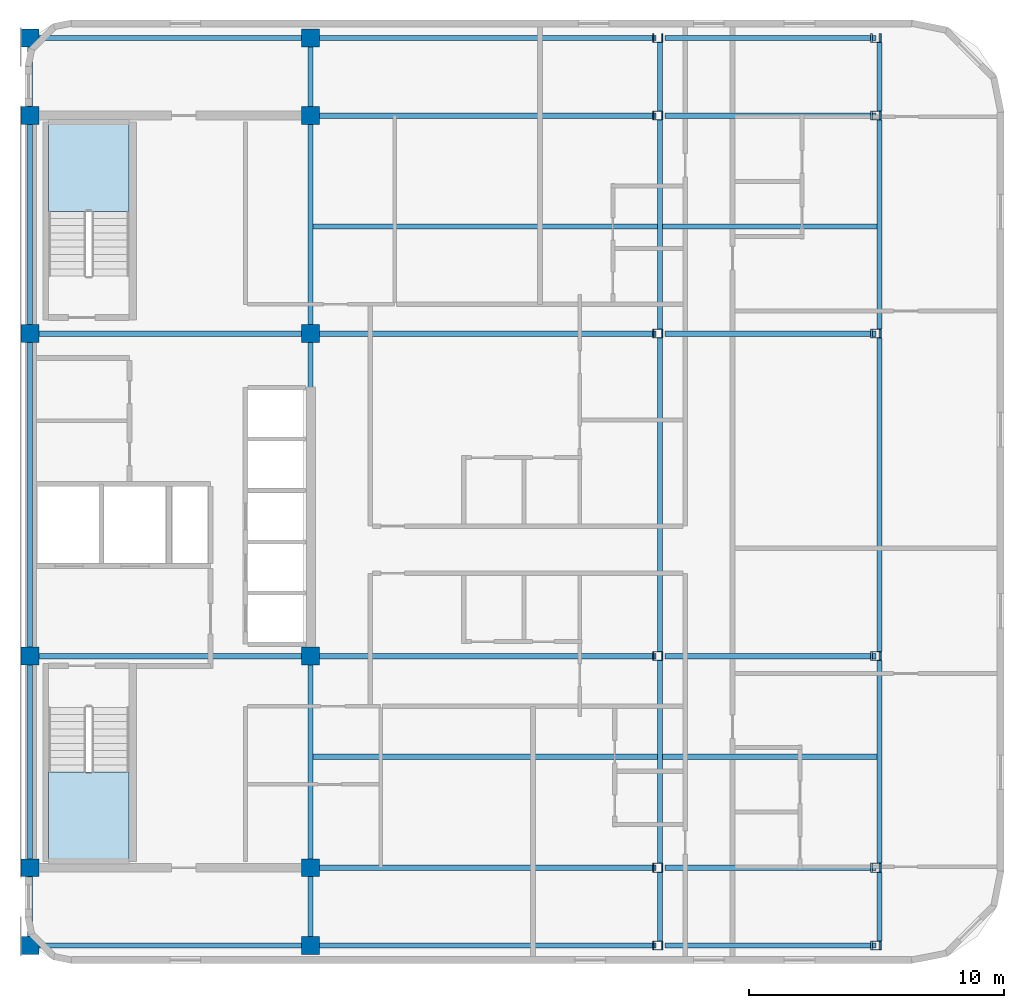
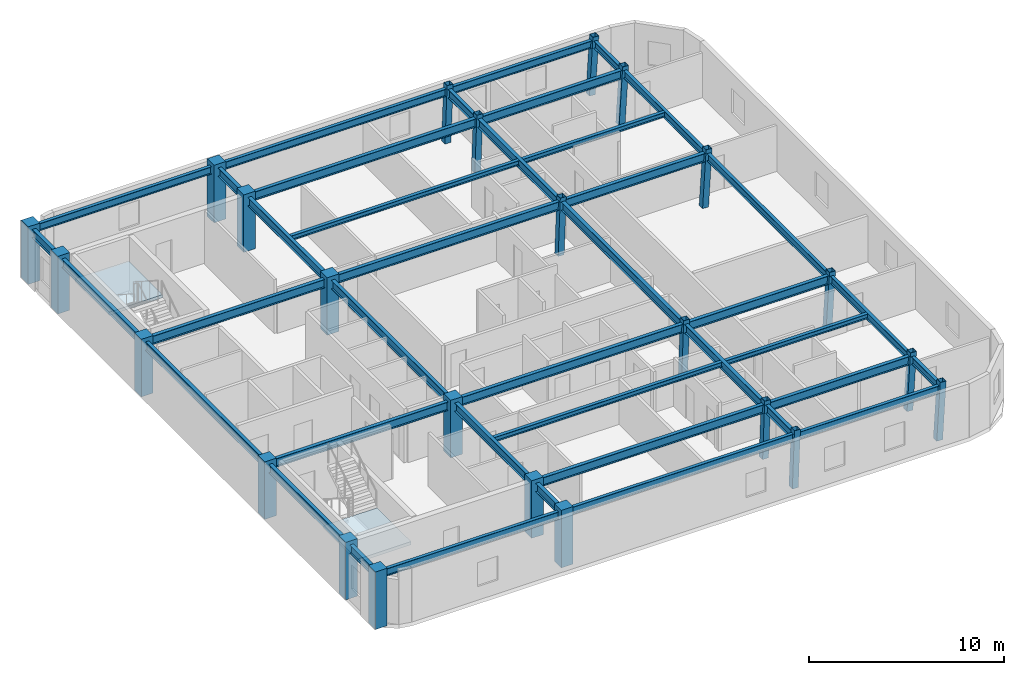
# One storey, part 1 of 6: 40 beams, 24 columns, 2 slabs, 2 elements without a shape of their own.
"""IFC4 building model written with IfcOpenShell, lengths in metres."""

from ifc_helpers import new_model, si_unit, direction, frame, origin, origin_2d, place, context, subcontext, project, spatial, polyline, rectangle, hollow_rectangle, i_section, outline, extrude, material, layer, layer_set, material_profile, profile_set, type_object, element, aggregate, save


model = new_model("IFC4")

# Units and contexts
model_context = context("Model", 3, precision=1e-05, world=origin(), true_north=direction((0.0, 1.0)))
body_context = subcontext(model_context, "Body", "Model", "MODEL_VIEW")
ifc_project = project(units=[si_unit("LENGTHUNIT", "METRE"), si_unit("AREAUNIT", "SQUARE_METRE"), si_unit("VOLUMEUNIT", "CUBIC_METRE"), si_unit("PLANEANGLEUNIT", "RADIAN"), si_unit("MASSUNIT", "GRAM", prefix="KILO")], contexts=[model_context])

# Site, building, storey
site_placement = place(None, origin())
site = spatial("IfcSite", under=ifc_project, at=site_placement, CompositionType="ELEMENT")
building_placement = place(site_placement, origin())
building = spatial("IfcBuilding", under=site, at=building_placement, Name="Ochreholt Gables", CompositionType="ELEMENT")
storey_placement = place(building_placement, frame((0.0, 0.0, 253.199951171875)))
storey = spatial("IfcBuildingStorey", under=building, at=storey_placement, Name="L66", CompositionType="ELEMENT", Elevation=253.199951171875)

# Columns
ifc_material_1 = material(Name="Steel CSA G40.21 350W", Category="steel")
ifc_material_profile_1 = material_profile(ifc_material_1, hollow_rectangle(XDim=0.35595703125, YDim=0.35595703125, WallThickness=0.01611328125, at=origin_2d()), Name="HSS356X356X16")
ifc_profile_set_1 = profile_set([ifc_material_profile_1], Name="Steel CSA G40.21 350W")
column_type_1 = type_object("IfcColumnType", Name="COL-HSS356-RAK", PredefinedType="COLUMN", material=ifc_profile_set_1)
for number, where, z_axis, x_axis, name in (
    (1, (48.798095703125, 9.25, 0.0), (0.034971136209, 0.0, 0.999388322742), (0.0, 1.0, 0.0), "L66 Column EMY2"),
    (2, (48.798095703125, 17.550048828125, 0.0), (0.034971136209, 0.0, 0.999388322742), (0.0, 1.0, 0.0), "L66 Column EMY3"),
    (3, (48.798095703125, 30.199951171875, 0.0), (0.034971136209, 0.0, 0.999388322742), (0.0, 1.0, 0.0), "L66 Column EMY4"),
    (4, (48.798095703125, 38.75, 0.0), (0.034971136209, 0.0, 0.999388322742), (0.0, 1.0, 0.0), "L66 Column EMY5"),
):
    element("IfcColumn", number, at=place(storey_placement, frame(where, z_axis=z_axis, x_axis=x_axis)), inside=storey, type_object=column_type_1, Name=name, PredefinedType="COLUMN", context=body_context, shape_type="SweptSolid", body=[
        extrude(hollow_rectangle(XDim=0.35595703125, YDim=0.35595703125, WallThickness=0.01611328125, at=origin_2d()), origin(), (0.0, 0.0, 1.0), 3.602294921875),
    ])
ifc_material_profile_2 = material_profile(ifc_material_1, hollow_rectangle(XDim=0.35595703125, YDim=0.35595703125, WallThickness=0.01611328125, at=origin_2d()), Name="HSS356X356X16")
ifc_profile_set_2 = profile_set([ifc_material_profile_2], Name="Steel CSA G40.21 350W")
column_type_2 = type_object("IfcColumnType", Name="COL-HSS356-RAKE", PredefinedType="COLUMN", material=ifc_profile_set_2)
for number, where, z_axis, x_axis, name in (
    (5, (48.798095703125, 6.199951171875, 0.0), (0.034971136209, 0.0, 0.999388322742), (0.0, 1.0, 0.0), "L66 Column EMY1"),
    (6, (48.798095703125, 41.800048828125, 0.0), (0.034971136209, 0.0, 0.999388322742), (0.0, 1.0, 0.0), "L66 Column EMY6"),
):
    element("IfcColumn", number, at=place(storey_placement, frame(where, z_axis=z_axis, x_axis=x_axis)), inside=storey, type_object=column_type_2, Name=name, PredefinedType="COLUMN", context=body_context, shape_type="SweptSolid", body=[
        extrude(hollow_rectangle(XDim=0.35595703125, YDim=0.35595703125, WallThickness=0.01611328125, at=origin_2d()), origin(), (0.0, 0.0, 1.0), 3.602294921875),
    ])
for number, where, z_axis, x_axis, name in (
    (7, (57.34228515625, 6.199951171875, 0.0), (0.057952080376, 0.0, 0.998319365925), (0.0, 1.0, 0.0), "L66 Column EEY1"),
    (8, (57.34228515625, 9.25, 0.0), (0.057952080376, 0.0, 0.998319365925), (0.0, 1.0, 0.0), "L66 Column EEY2"),
    (9, (57.34228515625, 17.550048828125, 0.0), (0.057952080376, 0.0, 0.998319365925), (0.0, 1.0, 0.0), "L66 Column EEY3"),
    (10, (57.34228515625, 30.199951171875, 0.0), (0.057952080376, 0.0, 0.998319365925), (0.0, 1.0, 0.0), "L66 Column EEY4"),
    (11, (57.34228515625, 38.75, 0.0), (0.057952080376, 0.0, 0.998319365925), (0.0, 1.0, 0.0), "L66 Column EEY5"),
    (12, (57.34228515625, 41.800048828125, 0.0), (0.057952080376, 0.0, 0.998319365925), (0.0, 1.0, 0.0), "L66 Column EEY6"),
):
    element("IfcColumn", number, at=place(storey_placement, frame(where, z_axis=z_axis, x_axis=x_axis)), inside=storey, type_object=column_type_2, Name=name, PredefinedType="COLUMN", context=body_context, shape_type="SweptSolid", body=[
        extrude(hollow_rectangle(XDim=0.35595703125, YDim=0.35595703125, WallThickness=0.01611328125, at=origin_2d()), origin(), (0.0, 0.0, 1.0), 3.606201171875),
    ])
ifc_material_2 = material(Name="Concrete 50 MPa", Category="concrete")
ifc_material_profile_3 = material_profile(ifc_material_2, rectangle(XDim=0.699951171875, YDim=0.699951171875, at=origin_2d()), Name="RC700X700")
ifc_profile_set_3 = profile_set([ifc_material_profile_3], Name="Concrete 50 MPa")
column_type_3 = type_object("IfcColumnType", Name="COL-RC700-EXT", PredefinedType="COLUMN", material=ifc_profile_set_3)
for number, where, z_axis, x_axis, name in (
    (13, (24.199951171875, 6.199951171875, 0.0), (0.0, 0.0, 1.0), (1.0, 0.0, 0.0), "L66 Column C1Y1"),
    (14, (24.199951171875, 9.25, 0.0), (0.0, 0.0, 1.0), (1.0, 0.0, 0.0), "L66 Column C1Y2"),
    (15, (24.199951171875, 17.550048828125, 0.0), (0.0, 0.0, 1.0), (1.0, 0.0, 0.0), "L66 Column C1Y3"),
    (16, (24.199951171875, 30.199951171875, 0.0), (0.0, 0.0, 1.0), (1.0, 0.0, 0.0), "L66 Column C1Y4"),
    (17, (24.199951171875, 38.75, 0.0), (0.0, 0.0, 1.0), (1.0, 0.0, 0.0), "L66 Column C1Y5"),
    (18, (24.199951171875, 41.800048828125, 0.0), (0.0, 0.0, 1.0), (1.0, 0.0, 0.0), "L66 Column C1Y6"),
    (19, (35.199951171875, 6.199951171875, 0.0), (0.0, 0.0, 1.0), (1.0, 0.0, 0.0), "L66 Column C2Y1"),
    (20, (35.199951171875, 41.800048828125, 0.0), (0.0, 0.0, 1.0), (1.0, 0.0, 0.0), "L66 Column C2Y6"),
):
    element("IfcColumn", number, at=place(storey_placement, frame(where, z_axis=z_axis, x_axis=x_axis)), inside=storey, type_object=column_type_3, Name=name, PredefinedType="COLUMN", context=body_context, shape_type="SweptSolid", body=[
        extrude(rectangle(XDim=0.699951171875, YDim=0.699951171875, at=origin_2d()), origin(), (0.0, 0.0, 1.0), 3.60009765625),
    ])
ifc_material_profile_4 = material_profile(ifc_material_2, rectangle(XDim=0.699951171875, YDim=0.699951171875, at=origin_2d()), Name="RC700X700")
ifc_profile_set_4 = profile_set([ifc_material_profile_4], Name="Concrete 50 MPa")
column_type_4 = type_object("IfcColumnType", Name="COL-RC700-INT", PredefinedType="COLUMN", material=ifc_profile_set_4)
for number, where, z_axis, x_axis, name in (
    (21, (35.199951171875, 9.25, 0.0), (0.0, 0.0, 1.0), (1.0, 0.0, 0.0), "L66 Column C2Y2"),
    (22, (35.199951171875, 17.550048828125, 0.0), (0.0, 0.0, 1.0), (1.0, 0.0, 0.0), "L66 Column C2Y3"),
    (23, (35.199951171875, 30.199951171875, 0.0), (0.0, 0.0, 1.0), (1.0, 0.0, 0.0), "L66 Column C2Y4"),
    (24, (35.199951171875, 38.75, 0.0), (0.0, 0.0, 1.0), (1.0, 0.0, 0.0), "L66 Column C2Y5"),
):
    element("IfcColumn", number, at=place(storey_placement, frame(where, z_axis=z_axis, x_axis=x_axis)), inside=storey, type_object=column_type_4, Name=name, PredefinedType="COLUMN", context=body_context, shape_type="SweptSolid", body=[
        extrude(rectangle(XDim=0.699951171875, YDim=0.699951171875, at=origin_2d()), origin(), (0.0, 0.0, 1.0), 3.60009765625),
    ])

# Beams
ifc_material_profile_5 = material_profile(ifc_material_1, i_section(OverallWidth=0.2109375, OverallDepth=0.5390625, WebThickness=0.01171875, FlangeThickness=0.018798828125, at=origin_2d()), Name="W530X109")
ifc_profile_set_5 = profile_set([ifc_material_profile_5], Name="Steel CSA G40.21 350W")
beam_type_1 = type_object("IfcBeamType", Name="BM-G-W530A", PredefinedType="BEAM", material=ifc_profile_set_5)
beam_1_placement = place(storey_placement, frame((35.549560546875, 9.25, 3.090576171875), z_axis=(1.0, 0.0, 0.0), x_axis=(0.0, 1.0, 0.0)))
element("IfcBeam", 25, at=beam_1_placement, inside=storey, type_object=beam_type_1, Name="L66 Beam TBG-L66-C2EM-Y2", PredefinedType="BEAM", context=body_context, shape_type="SweptSolid", body=[
    extrude(i_section(OverallWidth=0.2109375, OverallDepth=0.5390625, WebThickness=0.01171875, FlangeThickness=0.018798828125, at=origin_2d()), origin(), (0.0, 0.0, 1.0), 13.19677734375),
])
beam_2_placement = place(storey_placement, frame((49.1015625, 9.25, 3.090576171875), z_axis=(1.0, 0.0, 0.0), x_axis=(0.0, 1.0, 0.0)))
element("IfcBeam", 26, at=beam_2_placement, inside=storey, type_object=beam_type_1, Name="L66 Beam TBG-L66-EMEE-Y2", PredefinedType="BEAM", context=body_context, shape_type="SweptSolid", body=[
    extrude(i_section(OverallWidth=0.2109375, OverallDepth=0.5390625, WebThickness=0.01171875, FlangeThickness=0.018798828125, at=origin_2d()), origin(), (0.0, 0.0, 1.0), 8.27197265625),
])
beam_3_placement = place(storey_placement, frame((24.549560546875, 17.550048828125, 3.090576171875), z_axis=(1.0, 0.0, 0.0), x_axis=(0.0, 1.0, 0.0)))
element("IfcBeam", 27, at=beam_3_placement, inside=storey, type_object=beam_type_1, Name="L66 Beam TBG-L66-C1C2-Y3", PredefinedType="BEAM", context=body_context, shape_type="SweptSolid", body=[
    extrude(i_section(OverallWidth=0.2109375, OverallDepth=0.5390625, WebThickness=0.01171875, FlangeThickness=0.018798828125, at=origin_2d()), origin(), (0.0, 0.0, 1.0), 10.30078125),
])
beam_4_placement = place(storey_placement, frame((35.549560546875, 17.550048828125, 3.090576171875), z_axis=(1.0, 0.0, 0.0), x_axis=(0.0, 1.0, 0.0)))
element("IfcBeam", 28, at=beam_4_placement, inside=storey, type_object=beam_type_1, Name="L66 Beam TBG-L66-C2EM-Y3", PredefinedType="BEAM", context=body_context, shape_type="SweptSolid", body=[
    extrude(i_section(OverallWidth=0.2109375, OverallDepth=0.5390625, WebThickness=0.01171875, FlangeThickness=0.018798828125, at=origin_2d()), origin(), (0.0, 0.0, 1.0), 13.19677734375),
])
beam_5_placement = place(storey_placement, frame((49.1015625, 17.550048828125, 3.090576171875), z_axis=(1.0, 0.0, 0.0), x_axis=(0.0, 1.0, 0.0)))
element("IfcBeam", 29, at=beam_5_placement, inside=storey, type_object=beam_type_1, Name="L66 Beam TBG-L66-EMEE-Y3", PredefinedType="BEAM", context=body_context, shape_type="SweptSolid", body=[
    extrude(i_section(OverallWidth=0.2109375, OverallDepth=0.5390625, WebThickness=0.01171875, FlangeThickness=0.018798828125, at=origin_2d()), origin(), (0.0, 0.0, 1.0), 8.27197265625),
])
beam_6_placement = place(storey_placement, frame((24.549560546875, 30.199951171875, 3.090576171875), z_axis=(1.0, 0.0, 0.0), x_axis=(0.0, 1.0, 0.0)))
element("IfcBeam", 30, at=beam_6_placement, inside=storey, type_object=beam_type_1, Name="L66 Beam TBG-L66-C1C2-Y4", PredefinedType="BEAM", context=body_context, shape_type="SweptSolid", body=[
    extrude(i_section(OverallWidth=0.2109375, OverallDepth=0.5390625, WebThickness=0.01171875, FlangeThickness=0.018798828125, at=origin_2d()), origin(), (0.0, 0.0, 1.0), 10.30078125),
])
beam_7_placement = place(storey_placement, frame((35.549560546875, 30.199951171875, 3.090576171875), z_axis=(1.0, 0.0, 0.0), x_axis=(0.0, 1.0, 0.0)))
element("IfcBeam", 31, at=beam_7_placement, inside=storey, type_object=beam_type_1, Name="L66 Beam TBG-L66-C2EM-Y4", PredefinedType="BEAM", context=body_context, shape_type="SweptSolid", body=[
    extrude(i_section(OverallWidth=0.2109375, OverallDepth=0.5390625, WebThickness=0.01171875, FlangeThickness=0.018798828125, at=origin_2d()), origin(), (0.0, 0.0, 1.0), 13.19677734375),
])
beam_8_placement = place(storey_placement, frame((49.1015625, 30.199951171875, 3.090576171875), z_axis=(1.0, 0.0, 0.0), x_axis=(0.0, 1.0, 0.0)))
element("IfcBeam", 32, at=beam_8_placement, inside=storey, type_object=beam_type_1, Name="L66 Beam TBG-L66-EMEE-Y4", PredefinedType="BEAM", context=body_context, shape_type="SweptSolid", body=[
    extrude(i_section(OverallWidth=0.2109375, OverallDepth=0.5390625, WebThickness=0.01171875, FlangeThickness=0.018798828125, at=origin_2d()), origin(), (0.0, 0.0, 1.0), 8.27197265625),
])
beam_9_placement = place(storey_placement, frame((35.549560546875, 38.75, 3.090576171875), z_axis=(1.0, 0.0, 0.0), x_axis=(0.0, 1.0, 0.0)))
element("IfcBeam", 33, at=beam_9_placement, inside=storey, type_object=beam_type_1, Name="L66 Beam TBG-L66-C2EM-Y5", PredefinedType="BEAM", context=body_context, shape_type="SweptSolid", body=[
    extrude(i_section(OverallWidth=0.2109375, OverallDepth=0.5390625, WebThickness=0.01171875, FlangeThickness=0.018798828125, at=origin_2d()), origin(), (0.0, 0.0, 1.0), 13.19677734375),
])
beam_10_placement = place(storey_placement, frame((49.1015625, 38.75, 3.090576171875), z_axis=(1.0, 0.0, 0.0), x_axis=(0.0, 1.0, 0.0)))
element("IfcBeam", 34, at=beam_10_placement, inside=storey, type_object=beam_type_1, Name="L66 Beam TBG-L66-EMEE-Y5", PredefinedType="BEAM", context=body_context, shape_type="SweptSolid", body=[
    extrude(i_section(OverallWidth=0.2109375, OverallDepth=0.5390625, WebThickness=0.01171875, FlangeThickness=0.018798828125, at=origin_2d()), origin(), (0.0, 0.0, 1.0), 8.27197265625),
])
beam_11_placement = place(storey_placement, frame((24.199951171875, 6.549560546875, 3.090576171875), z_axis=(0.0, 1.0, 0.0), x_axis=(-1.0, 0.0, 0.0)))
element("IfcBeam", 35, at=beam_11_placement, inside=storey, type_object=beam_type_1, Name="L66 Beam TBN-L66-C1-Y1Y2", PredefinedType="BEAM", context=body_context, shape_type="SweptSolid", body=[
    extrude(i_section(OverallWidth=0.2109375, OverallDepth=0.5390625, WebThickness=0.01171875, FlangeThickness=0.018798828125, at=origin_2d()), origin(), (0.0, 0.0, 1.0), 2.350830078125),
])
beam_12_placement = place(storey_placement, frame((24.199951171875, 9.599609375, 3.090576171875), z_axis=(0.0, 1.0, 0.0), x_axis=(-1.0, 0.0, 0.0)))
element("IfcBeam", 36, at=beam_12_placement, inside=storey, type_object=beam_type_1, Name="L66 Beam TBN-L66-C1-Y2Y3", PredefinedType="BEAM", context=body_context, shape_type="SweptSolid", body=[
    extrude(i_section(OverallWidth=0.2109375, OverallDepth=0.5390625, WebThickness=0.01171875, FlangeThickness=0.018798828125, at=origin_2d()), origin(), (0.0, 0.0, 1.0), 7.600830078125),
])
beam_13_placement = place(storey_placement, frame((24.199951171875, 17.899658203125, 3.090576171875), z_axis=(0.0, 1.0, 0.0), x_axis=(-1.0, 0.0, 0.0)))
element("IfcBeam", 37, at=beam_13_placement, inside=storey, type_object=beam_type_1, Name="L66 Beam TBN-L66-C1-Y3Y4", PredefinedType="BEAM", context=body_context, shape_type="SweptSolid", body=[
    extrude(i_section(OverallWidth=0.2109375, OverallDepth=0.5390625, WebThickness=0.01171875, FlangeThickness=0.018798828125, at=origin_2d()), origin(), (0.0, 0.0, 1.0), 11.95068359375),
])
beam_14_placement = place(storey_placement, frame((24.199951171875, 30.549560546875, 3.090576171875), z_axis=(0.0, 1.0, 0.0), x_axis=(-1.0, 0.0, 0.0)))
element("IfcBeam", 38, at=beam_14_placement, inside=storey, type_object=beam_type_1, Name="L66 Beam TBN-L66-C1-Y4Y5", PredefinedType="BEAM", context=body_context, shape_type="SweptSolid", body=[
    extrude(i_section(OverallWidth=0.2109375, OverallDepth=0.5390625, WebThickness=0.01171875, FlangeThickness=0.018798828125, at=origin_2d()), origin(), (0.0, 0.0, 1.0), 7.850830078125),
])
for number, where, z_axis, x_axis, name in (
    (39, (24.199951171875, 39.099609375, 3.090576171875), (0.0, 1.0, 0.0), (-1.0, 0.0, 0.0), "L66 Beam TBN-L66-C1-Y5Y6"),
    (40, (35.199951171875, 6.549560546875, 3.090576171875), (0.0, 1.0, 0.0), (-1.0, 0.0, 0.0), "L66 Beam TBN-L66-C2-Y1Y2"),
):
    element("IfcBeam", number, at=place(storey_placement, frame(where, z_axis=z_axis, x_axis=x_axis)), inside=storey, type_object=beam_type_1, Name=name, PredefinedType="BEAM", context=body_context, shape_type="SweptSolid", body=[
        extrude(i_section(OverallWidth=0.2109375, OverallDepth=0.5390625, WebThickness=0.01171875, FlangeThickness=0.018798828125, at=origin_2d()), origin(), (0.0, 0.0, 1.0), 2.350830078125),
    ])
beam_15_placement = place(storey_placement, frame((35.199951171875, 9.599609375, 3.090576171875), z_axis=(0.0, 1.0, 0.0), x_axis=(-1.0, 0.0, 0.0)))
element("IfcBeam", 41, at=beam_15_placement, inside=storey, type_object=beam_type_1, Name="L66 Beam TBN-L66-C2-Y2Y3", PredefinedType="BEAM", context=body_context, shape_type="SweptSolid", body=[
    extrude(i_section(OverallWidth=0.2109375, OverallDepth=0.5390625, WebThickness=0.01171875, FlangeThickness=0.018798828125, at=origin_2d()), origin(), (0.0, 0.0, 1.0), 7.600830078125),
])
beam_16_placement = place(storey_placement, frame((35.199951171875, 17.899658203125, 3.090576171875), z_axis=(0.0, 1.0, 0.0), x_axis=(-1.0, 0.0, 0.0)))
element("IfcBeam", 42, at=beam_16_placement, inside=storey, type_object=beam_type_1, Name="L66 Beam TBN-L66-C2-Y3Y4", PredefinedType="BEAM", context=body_context, shape_type="SweptSolid", body=[
    extrude(i_section(OverallWidth=0.2109375, OverallDepth=0.5390625, WebThickness=0.01171875, FlangeThickness=0.018798828125, at=origin_2d()), origin(), (0.0, 0.0, 1.0), 11.95068359375),
])
beam_17_placement = place(storey_placement, frame((35.199951171875, 30.549560546875, 3.090576171875), z_axis=(0.0, 1.0, 0.0), x_axis=(-1.0, 0.0, 0.0)))
element("IfcBeam", 43, at=beam_17_placement, inside=storey, type_object=beam_type_1, Name="L66 Beam TBN-L66-C2-Y4Y5", PredefinedType="BEAM", context=body_context, shape_type="SweptSolid", body=[
    extrude(i_section(OverallWidth=0.2109375, OverallDepth=0.5390625, WebThickness=0.01171875, FlangeThickness=0.018798828125, at=origin_2d()), origin(), (0.0, 0.0, 1.0), 7.850830078125),
])
beam_18_placement = place(storey_placement, frame((35.199951171875, 39.099609375, 3.090576171875), z_axis=(0.0, 1.0, 0.0), x_axis=(-1.0, 0.0, 0.0)))
element("IfcBeam", 44, at=beam_18_placement, inside=storey, type_object=beam_type_1, Name="L66 Beam TBN-L66-C2-Y5Y6", PredefinedType="BEAM", context=body_context, shape_type="SweptSolid", body=[
    extrude(i_section(OverallWidth=0.2109375, OverallDepth=0.5390625, WebThickness=0.01171875, FlangeThickness=0.018798828125, at=origin_2d()), origin(), (0.0, 0.0, 1.0), 2.350830078125),
])
beam_19_placement = place(storey_placement, frame((48.90673828125, 6.377685546875, 3.090576171875), z_axis=(0.0, 1.0, 0.0), x_axis=(-1.0, 0.0, 0.0)))
element("IfcBeam", 45, at=beam_19_placement, inside=storey, type_object=beam_type_1, Name="L66 Beam TBN-L66-EM-Y1Y2", PredefinedType="BEAM", context=body_context, shape_type="SweptSolid", body=[
    extrude(i_section(OverallWidth=0.2109375, OverallDepth=0.5390625, WebThickness=0.01171875, FlangeThickness=0.018798828125, at=origin_2d()), origin(), (0.0, 0.0, 1.0), 2.69482421875),
])
beam_20_placement = place(storey_placement, frame((48.90673828125, 9.427490234375, 3.090576171875), z_axis=(0.0, 1.0, 0.0), x_axis=(-1.0, 0.0, 0.0)))
element("IfcBeam", 46, at=beam_20_placement, inside=storey, type_object=beam_type_1, Name="L66 Beam TBN-L66-EM-Y2Y3", PredefinedType="BEAM", context=body_context, shape_type="SweptSolid", body=[
    extrude(i_section(OverallWidth=0.2109375, OverallDepth=0.5390625, WebThickness=0.01171875, FlangeThickness=0.018798828125, at=origin_2d()), origin(), (0.0, 0.0, 1.0), 7.94482421875),
])
beam_21_placement = place(storey_placement, frame((48.90673828125, 17.7275390625, 3.090576171875), z_axis=(0.0, 1.0, 0.0), x_axis=(-1.0, 0.0, 0.0)))
element("IfcBeam", 47, at=beam_21_placement, inside=storey, type_object=beam_type_1, Name="L66 Beam TBN-L66-EM-Y3Y4", PredefinedType="BEAM", context=body_context, shape_type="SweptSolid", body=[
    extrude(i_section(OverallWidth=0.2109375, OverallDepth=0.5390625, WebThickness=0.01171875, FlangeThickness=0.018798828125, at=origin_2d()), origin(), (0.0, 0.0, 1.0), 12.294921875),
])
beam_22_placement = place(storey_placement, frame((48.90673828125, 30.377685546875, 3.090576171875), z_axis=(0.0, 1.0, 0.0), x_axis=(-1.0, 0.0, 0.0)))
element("IfcBeam", 48, at=beam_22_placement, inside=storey, type_object=beam_type_1, Name="L66 Beam TBN-L66-EM-Y4Y5", PredefinedType="BEAM", context=body_context, shape_type="SweptSolid", body=[
    extrude(i_section(OverallWidth=0.2109375, OverallDepth=0.5390625, WebThickness=0.01171875, FlangeThickness=0.018798828125, at=origin_2d()), origin(), (0.0, 0.0, 1.0), 8.19482421875),
])
beam_23_placement = place(storey_placement, frame((48.90673828125, 38.927490234375, 3.090576171875), z_axis=(0.0, 1.0, 0.0), x_axis=(-1.0, 0.0, 0.0)))
element("IfcBeam", 49, at=beam_23_placement, inside=storey, type_object=beam_type_1, Name="L66 Beam TBN-L66-EM-Y5Y6", PredefinedType="BEAM", context=body_context, shape_type="SweptSolid", body=[
    extrude(i_section(OverallWidth=0.2109375, OverallDepth=0.5390625, WebThickness=0.01171875, FlangeThickness=0.018798828125, at=origin_2d()), origin(), (0.0, 0.0, 1.0), 2.69482421875),
])
ifc_material_profile_6 = material_profile(ifc_material_1, i_section(OverallWidth=0.202880859375, OverallDepth=0.302978515625, WebThickness=0.007568359375, FlangeThickness=0.01318359375, at=origin_2d()), Name="W310X60")
ifc_profile_set_6 = profile_set([ifc_material_profile_6], Name="Steel CSA G40.21 350W")
beam_type_2 = type_object("IfcBeamType", Name="BM-J-W310", PredefinedType="JOIST", material=ifc_profile_set_6)
beam_24_placement = place(storey_placement, frame((35.30517578125, 13.60009765625, 3.20849609375), z_axis=(1.0, 0.0, 0.0), x_axis=(0.0, 1.0, 0.0)))
element("IfcBeam", 50, at=beam_24_placement, inside=storey, type_object=beam_type_2, Name="L66 Beam TBJ-L66-J1-C2EM", PredefinedType="JOIST", context=body_context, shape_type="SweptSolid", body=[
    extrude(i_section(OverallWidth=0.202880859375, OverallDepth=0.302978515625, WebThickness=0.007568359375, FlangeThickness=0.01318359375, at=origin_2d()), origin(), (0.0, 0.0, 1.0), 13.49658203125),
])
beam_25_placement = place(storey_placement, frame((49.011962890625, 13.60009765625, 3.20849609375), z_axis=(1.0, 0.0, 0.0), x_axis=(0.0, 1.0, 0.0)))
element("IfcBeam", 51, at=beam_25_placement, inside=storey, type_object=beam_type_2, Name="L66 Beam TBJ-L66-J1-EMEE", PredefinedType="JOIST", context=body_context, shape_type="SweptSolid", body=[
    extrude(i_section(OverallWidth=0.202880859375, OverallDepth=0.302978515625, WebThickness=0.007568359375, FlangeThickness=0.01318359375, at=origin_2d()), origin(), (0.0, 0.0, 1.0), 8.415283203125),
])
beam_26_placement = place(storey_placement, frame((35.30517578125, 34.39990234375, 3.20849609375), z_axis=(1.0, 0.0, 0.0), x_axis=(0.0, 1.0, 0.0)))
element("IfcBeam", 52, at=beam_26_placement, inside=storey, type_object=beam_type_2, Name="L66 Beam TBJ-L66-J2-C2EM", PredefinedType="JOIST", context=body_context, shape_type="SweptSolid", body=[
    extrude(i_section(OverallWidth=0.202880859375, OverallDepth=0.302978515625, WebThickness=0.007568359375, FlangeThickness=0.01318359375, at=origin_2d()), origin(), (0.0, 0.0, 1.0), 13.49658203125),
])
beam_27_placement = place(storey_placement, frame((49.011962890625, 34.39990234375, 3.20849609375), z_axis=(1.0, 0.0, 0.0), x_axis=(0.0, 1.0, 0.0)))
element("IfcBeam", 53, at=beam_27_placement, inside=storey, type_object=beam_type_2, Name="L66 Beam TBJ-L66-J2-EMEE", PredefinedType="JOIST", context=body_context, shape_type="SweptSolid", body=[
    extrude(i_section(OverallWidth=0.202880859375, OverallDepth=0.302978515625, WebThickness=0.007568359375, FlangeThickness=0.01318359375, at=origin_2d()), origin(), (0.0, 0.0, 1.0), 8.415283203125),
])
ifc_material_profile_7 = material_profile(ifc_material_1, i_section(OverallWidth=0.19189453125, OverallDepth=0.462890625, WebThickness=0.010498046875, FlangeThickness=0.017578125, at=origin_2d()), Name="W460X89")
ifc_profile_set_7 = profile_set([ifc_material_profile_7], Name="Steel CSA G40.21 350W")
beam_type_3 = type_object("IfcBeamType", Name="BM-SP-W460A", PredefinedType="SPANDREL", material=ifc_profile_set_7)
beam_28_placement = place(storey_placement, frame((24.549560546875, 6.199951171875, 3.128662109375), z_axis=(1.0, 0.0, 0.0), x_axis=(0.0, 1.0, 0.0)))
element("IfcBeam", 54, at=beam_28_placement, inside=storey, type_object=beam_type_3, Name="L66 Beam TBG-L66-C1C2-Y1", PredefinedType="SPANDREL", context=body_context, shape_type="SweptSolid", body=[
    extrude(i_section(OverallWidth=0.19189453125, OverallDepth=0.462890625, WebThickness=0.010498046875, FlangeThickness=0.017578125, at=origin_2d()), origin(), (0.0, 0.0, 1.0), 10.30078125),
])
beam_29_placement = place(storey_placement, frame((35.549560546875, 6.199951171875, 3.128662109375), z_axis=(1.0, 0.0, 0.0), x_axis=(0.0, 1.0, 0.0)))
element("IfcBeam", 55, at=beam_29_placement, inside=storey, type_object=beam_type_3, Name="L66 Beam TBG-L66-C2EM-Y1", PredefinedType="SPANDREL", context=body_context, shape_type="SweptSolid", body=[
    extrude(i_section(OverallWidth=0.19189453125, OverallDepth=0.462890625, WebThickness=0.010498046875, FlangeThickness=0.017578125, at=origin_2d()), origin(), (0.0, 0.0, 1.0), 13.19677734375),
])
beam_30_placement = place(storey_placement, frame((49.1015625, 6.199951171875, 3.128662109375), z_axis=(1.0, 0.0, 0.0), x_axis=(0.0, 1.0, 0.0)))
element("IfcBeam", 56, at=beam_30_placement, inside=storey, type_object=beam_type_3, Name="L66 Beam TBG-L66-EMEE-Y1", PredefinedType="SPANDREL", context=body_context, shape_type="SweptSolid", body=[
    extrude(i_section(OverallWidth=0.19189453125, OverallDepth=0.462890625, WebThickness=0.010498046875, FlangeThickness=0.017578125, at=origin_2d()), origin(), (0.0, 0.0, 1.0), 8.27197265625),
])
beam_31_placement = place(storey_placement, frame((24.549560546875, 41.800048828125, 3.128662109375), z_axis=(1.0, 0.0, 0.0), x_axis=(0.0, 1.0, 0.0)))
element("IfcBeam", 57, at=beam_31_placement, inside=storey, type_object=beam_type_3, Name="L66 Beam TBG-L66-C1C2-Y6", PredefinedType="SPANDREL", context=body_context, shape_type="SweptSolid", body=[
    extrude(i_section(OverallWidth=0.19189453125, OverallDepth=0.462890625, WebThickness=0.010498046875, FlangeThickness=0.017578125, at=origin_2d()), origin(), (0.0, 0.0, 1.0), 10.30078125),
])
beam_32_placement = place(storey_placement, frame((35.549560546875, 41.800048828125, 3.128662109375), z_axis=(1.0, 0.0, 0.0), x_axis=(0.0, 1.0, 0.0)))
element("IfcBeam", 58, at=beam_32_placement, inside=storey, type_object=beam_type_3, Name="L66 Beam TBG-L66-C2EM-Y6", PredefinedType="SPANDREL", context=body_context, shape_type="SweptSolid", body=[
    extrude(i_section(OverallWidth=0.19189453125, OverallDepth=0.462890625, WebThickness=0.010498046875, FlangeThickness=0.017578125, at=origin_2d()), origin(), (0.0, 0.0, 1.0), 13.19677734375),
])
beam_33_placement = place(storey_placement, frame((49.1015625, 41.800048828125, 3.128662109375), z_axis=(1.0, 0.0, 0.0), x_axis=(0.0, 1.0, 0.0)))
element("IfcBeam", 59, at=beam_33_placement, inside=storey, type_object=beam_type_3, Name="L66 Beam TBG-L66-EMEE-Y6", PredefinedType="SPANDREL", context=body_context, shape_type="SweptSolid", body=[
    extrude(i_section(OverallWidth=0.19189453125, OverallDepth=0.462890625, WebThickness=0.010498046875, FlangeThickness=0.017578125, at=origin_2d()), origin(), (0.0, 0.0, 1.0), 8.27197265625),
])
beam_34_placement = place(storey_placement, frame((57.522705078125, 6.377685546875, 3.128662109375), z_axis=(0.0, 1.0, 0.0), x_axis=(-1.0, 0.0, 0.0)))
element("IfcBeam", 60, at=beam_34_placement, inside=storey, type_object=beam_type_3, Name="L66 Beam TBN-L66-EE-Y1Y2", PredefinedType="SPANDREL", context=body_context, shape_type="SweptSolid", body=[
    extrude(i_section(OverallWidth=0.19189453125, OverallDepth=0.462890625, WebThickness=0.010498046875, FlangeThickness=0.017578125, at=origin_2d()), origin(), (0.0, 0.0, 1.0), 2.69482421875),
])
beam_35_placement = place(storey_placement, frame((57.522705078125, 9.427490234375, 3.128662109375), z_axis=(0.0, 1.0, 0.0), x_axis=(-1.0, 0.0, 0.0)))
element("IfcBeam", 61, at=beam_35_placement, inside=storey, type_object=beam_type_3, Name="L66 Beam TBN-L66-EE-Y2Y3", PredefinedType="SPANDREL", context=body_context, shape_type="SweptSolid", body=[
    extrude(i_section(OverallWidth=0.19189453125, OverallDepth=0.462890625, WebThickness=0.010498046875, FlangeThickness=0.017578125, at=origin_2d()), origin(), (0.0, 0.0, 1.0), 7.94482421875),
])
beam_36_placement = place(storey_placement, frame((57.522705078125, 17.7275390625, 3.128662109375), z_axis=(0.0, 1.0, 0.0), x_axis=(-1.0, 0.0, 0.0)))
element("IfcBeam", 62, at=beam_36_placement, inside=storey, type_object=beam_type_3, Name="L66 Beam TBN-L66-EE-Y3Y4", PredefinedType="SPANDREL", context=body_context, shape_type="SweptSolid", body=[
    extrude(i_section(OverallWidth=0.19189453125, OverallDepth=0.462890625, WebThickness=0.010498046875, FlangeThickness=0.017578125, at=origin_2d()), origin(), (0.0, 0.0, 1.0), 12.294921875),
])
beam_37_placement = place(storey_placement, frame((57.522705078125, 30.377685546875, 3.128662109375), z_axis=(0.0, 1.0, 0.0), x_axis=(-1.0, 0.0, 0.0)))
element("IfcBeam", 63, at=beam_37_placement, inside=storey, type_object=beam_type_3, Name="L66 Beam TBN-L66-EE-Y4Y5", PredefinedType="SPANDREL", context=body_context, shape_type="SweptSolid", body=[
    extrude(i_section(OverallWidth=0.19189453125, OverallDepth=0.462890625, WebThickness=0.010498046875, FlangeThickness=0.017578125, at=origin_2d()), origin(), (0.0, 0.0, 1.0), 8.19482421875),
])
beam_38_placement = place(storey_placement, frame((57.522705078125, 38.927490234375, 3.128662109375), z_axis=(0.0, 1.0, 0.0), x_axis=(-1.0, 0.0, 0.0)))
element("IfcBeam", 64, at=beam_38_placement, inside=storey, type_object=beam_type_3, Name="L66 Beam TBN-L66-EE-Y5Y6", PredefinedType="SPANDREL", context=body_context, shape_type="SweptSolid", body=[
    extrude(i_section(OverallWidth=0.19189453125, OverallDepth=0.462890625, WebThickness=0.010498046875, FlangeThickness=0.017578125, at=origin_2d()), origin(), (0.0, 0.0, 1.0), 2.69482421875),
])

# Stair, slab
ifc_material_3 = material(Name="Concrete 40 MPa", Category="concrete")
stair_type_1 = type_object("IfcStairType", Name="STAIR-CORE-ST-1", PredefinedType="HALF_TURN_STAIR", material=ifc_material_3)
stair_1_placement = place(storey_placement, origin())
stair_1 = element("IfcStair", 65, at=stair_1_placement, inside=storey, type_object=stair_type_1, Name="L66 Core Exit Stair 1", PredefinedType="HALF_TURN_STAIR")
ifc_layer = layer(ifc_material_3, 0.199951171875, Name="Concrete 40 MPa")
ifc_layer_set = layer_set([ifc_layer], Name="Concrete 40 MPa")
slab_type = type_object("IfcSlabType", Name="LANDING-RC200", PredefinedType="LANDING", material=ifc_layer_set)
slab_1_placement = place(storey_placement, frame((0.0, 0.0, 1.60009765625)))
slab_1 = element("IfcSlab", 66, at=slab_1_placement, type_object=slab_type, Name="ST-1 landing 1", PredefinedType="LANDING", context=body_context, shape_type="SweptSolid", body=[
    extrude(outline(polyline([(24.919921875, 13.001953125), (24.919921875, 9.52001953125), (28.080078125, 9.52001953125), (28.080078125, 13.001953125), (24.919921875, 13.001953125)])), origin(), (0.0, 0.0, 1.0), 0.199951171875),
])
aggregate(stair_1, [slab_1])

stair_type_2 = type_object("IfcStairType", Name="STAIR-CORE-ST-2", PredefinedType="HALF_TURN_STAIR", material=ifc_material_3)
stair_2_placement = place(storey_placement, origin())
stair_2 = element("IfcStair", 67, at=stair_2_placement, inside=storey, type_object=stair_type_2, Name="L66 Core Exit Stair 2", PredefinedType="HALF_TURN_STAIR")
slab_2_placement = place(storey_placement, frame((0.0, 0.0, 1.60009765625)))
slab_2 = element("IfcSlab", 68, at=slab_2_placement, type_object=slab_type, Name="ST-2 landing 1", PredefinedType="LANDING", context=body_context, shape_type="SweptSolid", body=[
    extrude(outline(polyline([(28.080078125, 34.998046875), (28.080078125, 38.47998046875), (24.919921875, 38.47998046875), (24.919921875, 34.998046875), (28.080078125, 34.998046875)])), origin(), (0.0, 0.0, 1.0), 0.199951171875),
])
aggregate(stair_2, [slab_2])

save(model, "model.ifc")
